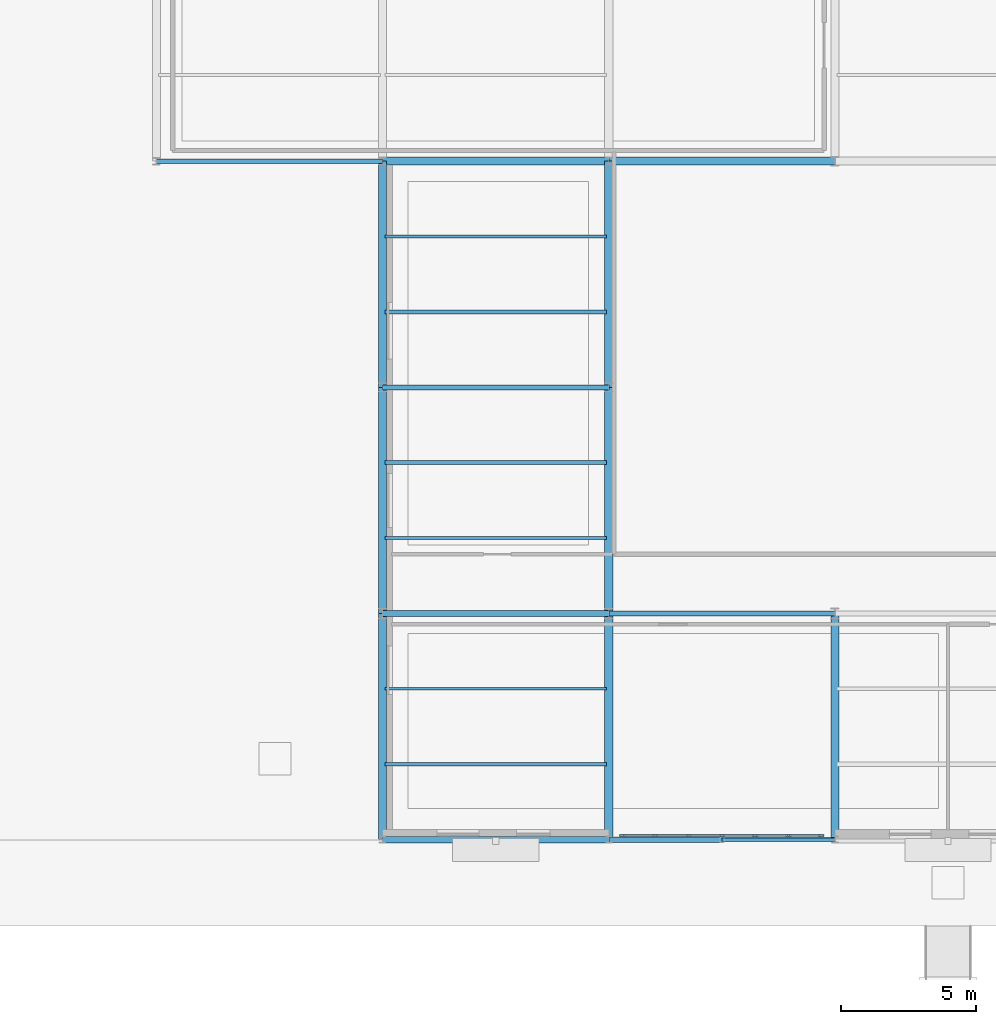
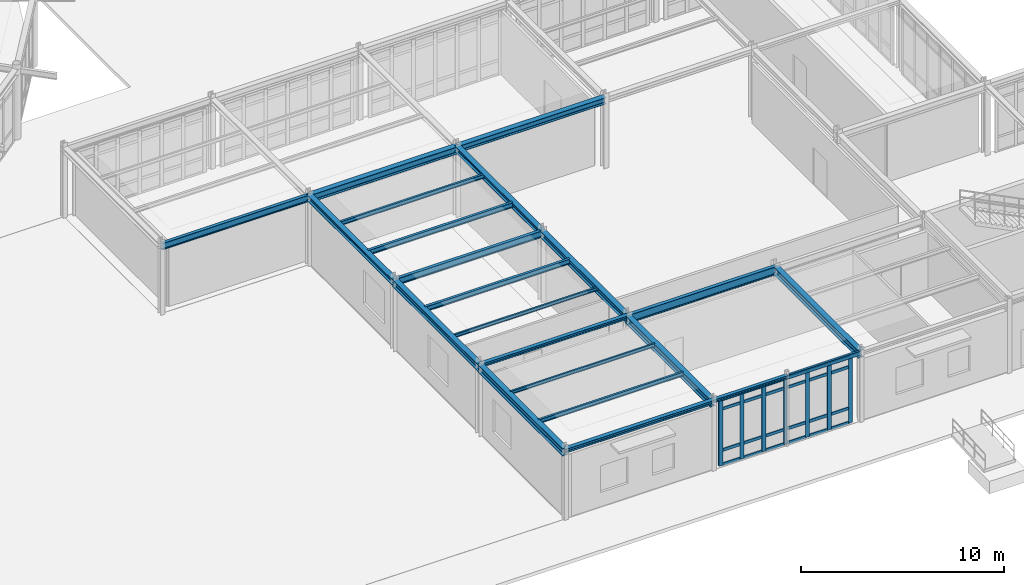
# One storey, part 30 of 101: 31 members, 22 beams, 1 element without a shape of its own.
"""IFC4 building model written with IfcOpenShell, lengths in metres."""

from ifc_helpers import new_model, si_unit, derived_unit, direction, frame, origin, origin_2d, place, context, subcontext, project, spatial, rectangle, hollow_rectangle, i_section, extrude, material, layer, layer_set, material_profile, profile_set, type_object, element, aggregate, save


model = new_model("IFC4")

# Units and contexts
model_context = context("Model", 3, precision=1e-05, world=origin(), true_north=direction((0.0, 1.0)))
body_context = subcontext(model_context, "Body", "Model", "MODEL_VIEW")
ifc_project = project(units=[si_unit("LENGTHUNIT", "METRE"), si_unit("AREAUNIT", "SQUARE_METRE"), si_unit("VOLUMEUNIT", "CUBIC_METRE"), si_unit("PLANEANGLEUNIT", "RADIAN"), si_unit("MASSUNIT", "GRAM", prefix="KILO"), derived_unit("THERMALTRANSMITTANCEUNIT", [(si_unit("POWERUNIT", "WATT"), 1), (si_unit("AREAUNIT", "SQUARE_METRE"), -1), (si_unit("THERMODYNAMICTEMPERATUREUNIT", "KELVIN"), -1)])], contexts=[model_context])

# Site, building, storey
site_placement = place(None, origin())
site = spatial("IfcSite", under=ifc_project, at=site_placement, CompositionType="ELEMENT")
building_placement = place(site_placement, origin())
building = spatial("IfcBuilding", under=site, at=building_placement, Name="Yasenodar Specialist Clinic", CompositionType="ELEMENT")
storey_placement = place(building_placement, origin())
storey = spatial("IfcBuildingStorey", under=building, at=storey_placement, Name="L00", CompositionType="ELEMENT", Elevation=0.0)

# Beams
ifc_material_1 = material(Name="Steel S355", Category="steel")
ifc_material_profile_1 = material_profile(ifc_material_1, i_section(OverallWidth=0.219970703125, OverallDepth=0.2099609375, WebThickness=0.007080078125, FlangeThickness=0.010986328125, FilletRadius=0.01806640625, at=origin_2d()), Name="HEA 220")
ifc_profile_set_1 = profile_set([ifc_material_profile_1], Name="Steel S355")
beam_type_1 = type_object("IfcBeamType", Name="BM-HEA220", PredefinedType="BEAM", material=ifc_profile_set_1)
beam_1_placement = place(storey_placement, frame((105.0, 8.39990234375, 4.14501953125), z_axis=(1.0, 0.0, 0.0), x_axis=(0.0, 1.0, 0.0)))
element("IfcBeam", 1, at=beam_1_placement, inside=storey, type_object=beam_type_1, Name="L00 Primary E-W Girder", PredefinedType="BEAM", context=body_context, shape_type="SweptSolid", body=[
    extrude(i_section(OverallWidth=0.219970703125, OverallDepth=0.2099609375, WebThickness=0.007080078125, FlangeThickness=0.010986328125, FilletRadius=0.01806640625, at=origin_2d()), origin(), (0.0, 0.0, 1.0), 8.39990234375),
])
ifc_material_profile_2 = material_profile(ifc_material_1, i_section(OverallWidth=0.300048828125, OverallDepth=0.389892578125, WebThickness=0.010986328125, FlangeThickness=0.01904296875, FilletRadius=0.027099609375, at=origin_2d()), Name="HEA 400")
ifc_profile_set_2 = profile_set([ifc_material_profile_2], Name="Steel S355")
beam_type_2 = type_object("IfcBeamType", Name="BM-HEA400", PredefinedType="BEAM", material=ifc_profile_set_2)
beam_2_placement = place(storey_placement, frame((113.39990234375, 25.199951171875, 4.054931640625), z_axis=(1.0, 0.0, 0.0), x_axis=(0.0, 1.0, 0.0)))
element("IfcBeam", 2, at=beam_2_placement, inside=storey, type_object=beam_type_2, Name="L00 Primary E-W Girder", PredefinedType="BEAM", context=body_context, shape_type="SweptSolid", body=[
    extrude(i_section(OverallWidth=0.300048828125, OverallDepth=0.389892578125, WebThickness=0.010986328125, FlangeThickness=0.01904296875, FilletRadius=0.027099609375, at=origin_2d()), origin(), (0.0, 0.0, 1.0), 8.400146484375),
])
ifc_material_profile_3 = material_profile(ifc_material_1, i_section(OverallWidth=0.300048828125, OverallDepth=0.43994140625, WebThickness=0.011474609375, FlangeThickness=0.02099609375, FilletRadius=0.027099609375, at=origin_2d()), Name="HEA 450")
ifc_profile_set_3 = profile_set([ifc_material_profile_3], Name="Steel S355")
beam_type_3 = type_object("IfcBeamType", Name="BM-HEA450", PredefinedType="BEAM", material=ifc_profile_set_3)
beam_3_placement = place(storey_placement, frame((105.0, 25.199951171875, 4.030029296875), z_axis=(1.0, 0.0, 0.0), x_axis=(0.0, 1.0, 0.0)))
element("IfcBeam", 3, at=beam_3_placement, inside=storey, type_object=beam_type_3, Name="L00 Primary E-W Girder", PredefinedType="BEAM", context=body_context, shape_type="SweptSolid", body=[
    extrude(i_section(OverallWidth=0.300048828125, OverallDepth=0.43994140625, WebThickness=0.011474609375, FlangeThickness=0.02099609375, FilletRadius=0.027099609375, at=origin_2d()), origin(), (0.0, 0.0, 1.0), 8.39990234375),
])
ifc_material_profile_4 = material_profile(ifc_material_1, i_section(OverallWidth=0.300048828125, OverallDepth=0.340087890625, WebThickness=0.011962890625, FlangeThickness=0.021484375, FilletRadius=0.027099609375, at=origin_2d()), Name="HEB 340")
ifc_profile_set_4 = profile_set([ifc_material_profile_4], Name="Steel S355")
beam_type_4 = type_object("IfcBeamType", Name="BM-HEB340", PredefinedType="BEAM", material=ifc_profile_set_4)
for number, where, z_axis, x_axis, name in (
    (4, (105.0, 16.800048828125, 4.080078125), (0.0, 1.0, 0.0), (-1.0, 0.0, 0.0), "L00 Primary N-S Girder"),
    (5, (113.39990234375, 16.800048828125, 4.080078125), (0.0, 1.0, 0.0), (-1.0, 0.0, 0.0), "L00 Primary N-S Girder"),
):
    element("IfcBeam", number, at=place(storey_placement, frame(where, z_axis=z_axis, x_axis=x_axis)), inside=storey, type_object=beam_type_4, Name=name, PredefinedType="BEAM", context=body_context, shape_type="SweptSolid", body=[
        extrude(i_section(OverallWidth=0.300048828125, OverallDepth=0.340087890625, WebThickness=0.011962890625, FlangeThickness=0.021484375, FilletRadius=0.027099609375, at=origin_2d()), origin(), (0.0, 0.0, 1.0), 8.39990234375),
    ])
ifc_material_profile_5 = material_profile(ifc_material_1, i_section(OverallWidth=0.300048828125, OverallDepth=0.39990234375, WebThickness=0.013427734375, FlangeThickness=0.02392578125, FilletRadius=0.027099609375, at=origin_2d()), Name="HEB 400")
ifc_profile_set_5 = profile_set([ifc_material_profile_5], Name="Steel S355")
beam_type_5 = type_object("IfcBeamType", Name="BM-HEB400", PredefinedType="BEAM", material=ifc_profile_set_5)
for number, where, z_axis, x_axis, name in (
    (6, (105.0, 8.39990234375, 4.050048828125), (0.0, 1.0, 0.0), (-1.0, 0.0, 0.0), "L00 Primary N-S Girder"),
    (7, (113.39990234375, 8.39990234375, 4.050048828125), (0.0, 1.0, 0.0), (-1.0, 0.0, 0.0), "L00 Primary N-S Girder"),
):
    element("IfcBeam", number, at=place(storey_placement, frame(where, z_axis=z_axis, x_axis=x_axis)), inside=storey, type_object=beam_type_5, Name=name, PredefinedType="BEAM", context=body_context, shape_type="SweptSolid", body=[
        extrude(i_section(OverallWidth=0.300048828125, OverallDepth=0.39990234375, WebThickness=0.013427734375, FlangeThickness=0.02392578125, FilletRadius=0.027099609375, at=origin_2d()), origin(), (0.0, 0.0, 1.0), 8.400146484375),
    ])
ifc_material_profile_6 = material_profile(ifc_material_1, i_section(OverallWidth=0.300048828125, OverallDepth=0.449951171875, WebThickness=0.013916015625, FlangeThickness=0.02587890625, FilletRadius=0.027099609375, at=origin_2d()), Name="HEB 450")
ifc_profile_set_6 = profile_set([ifc_material_profile_6], Name="Steel S355")
beam_type_6 = type_object("IfcBeamType", Name="BM-HEB450", PredefinedType="BEAM", material=ifc_profile_set_6)
for number, where, z_axis, x_axis, name in (
    (8, (105.0, 0.0, 4.02490234375), (0.0, 1.0, 0.0), (-1.0, 0.0, 0.0), "L00 Primary N-S Girder"),
    (9, (113.39990234375, 0.0, 4.02490234375), (0.0, 1.0, 0.0), (-1.0, 0.0, 0.0), "L00 Primary N-S Girder"),
    (10, (121.800048828125, 0.0, 4.02490234375), (0.0, 1.0, 0.0), (-1.0, 0.0, 0.0), "L00 Primary N-S Girder"),
):
    element("IfcBeam", number, at=place(storey_placement, frame(where, z_axis=z_axis, x_axis=x_axis)), inside=storey, type_object=beam_type_6, Name=name, PredefinedType="BEAM", context=body_context, shape_type="SweptSolid", body=[
        extrude(i_section(OverallWidth=0.300048828125, OverallDepth=0.449951171875, WebThickness=0.013916015625, FlangeThickness=0.02587890625, FilletRadius=0.027099609375, at=origin_2d()), origin(), (0.0, 0.0, 1.0), 8.39990234375),
    ])
ifc_material_profile_7 = material_profile(ifc_material_1, i_section(OverallWidth=0.179931640625, OverallDepth=0.39990234375, WebThickness=0.008544921875, FlangeThickness=0.013427734375, FilletRadius=0.02099609375, at=origin_2d()), Name="IPE 400")
ifc_profile_set_7 = profile_set([ifc_material_profile_7], Name="Steel S355")
beam_type_7 = type_object("IfcBeamType", Name="BM-IPE400", PredefinedType="BEAM", material=ifc_profile_set_7)
for number, where, z_axis, x_axis, name in (
    (11, (105.0, 16.800048828125, 4.050048828125), (1.0, 0.0, 0.0), (0.0, 1.0, 0.0), "L00 Primary E-W Girder"),
    (12, (96.60009765625, 25.199951171875, 4.050048828125), (1.0, 0.0, 0.0), (0.0, 1.0, 0.0), "L00 Primary E-W Girder"),
):
    element("IfcBeam", number, at=place(storey_placement, frame(where, z_axis=z_axis, x_axis=x_axis)), inside=storey, type_object=beam_type_7, Name=name, PredefinedType="BEAM", context=body_context, shape_type="SweptSolid", body=[
        extrude(i_section(OverallWidth=0.179931640625, OverallDepth=0.39990234375, WebThickness=0.008544921875, FlangeThickness=0.013427734375, FilletRadius=0.02099609375, at=origin_2d()), origin(), (0.0, 0.0, 1.0), 8.39990234375),
    ])
ifc_material_profile_8 = material_profile(ifc_material_1, i_section(OverallWidth=0.199951171875, OverallDepth=0.5, WebThickness=0.01025390625, FlangeThickness=0.01611328125, FilletRadius=0.02099609375, at=origin_2d()), Name="IPE 500")
ifc_profile_set_8 = profile_set([ifc_material_profile_8], Name="Steel S355")
beam_type_8 = type_object("IfcBeamType", Name="BM-IPE500", PredefinedType="BEAM", material=ifc_profile_set_8)
beam_4_placement = place(storey_placement, frame((113.39990234375, 8.39990234375, 4.0), z_axis=(1.0, 0.0, 0.0), x_axis=(0.0, 1.0, 0.0)))
element("IfcBeam", 13, at=beam_4_placement, inside=storey, type_object=beam_type_8, Name="L00 Primary E-W Girder", PredefinedType="BEAM", context=body_context, shape_type="SweptSolid", body=[
    extrude(i_section(OverallWidth=0.199951171875, OverallDepth=0.5, WebThickness=0.01025390625, FlangeThickness=0.01611328125, FilletRadius=0.02099609375, at=origin_2d()), origin(), (0.0, 0.0, 1.0), 8.400146484375),
])

# Curtain wall, members
ifc_material_2 = material(Name="Bronze Anodized Aluminium and Triple Low-E Glass", Category="aluminium")
ifc_layer = layer(ifc_material_2, 0.178955078125)
ifc_layer_set = layer_set([ifc_layer], Name="Bronze Anodized Aluminium and Triple Low-E Glass")
curtain_wall_type = type_object("IfcCurtainWallType", Name="CW-SYS-02", PredefinedType="USERDEFINED", material=ifc_layer_set)
curtain_wall_placement = place(storey_placement, origin())
curtain_wall = element("IfcCurtainWall", 14, at=curtain_wall_placement, inside=storey, type_object=curtain_wall_type, Name="L00 Unitised Curtain Wall 080", ObjectType="UNITISED CURTAIN WALL", PredefinedType="USERDEFINED")
ifc_material_3 = material(Name="Bronze Anodized Aluminium", Category="aluminium")
ifc_material_profile_9 = material_profile(ifc_material_3, rectangle(XDim=0.074951171875, YDim=0.22509765625, at=origin_2d()), Name="CW-MULL 75x225")
ifc_profile_set_9 = profile_set([ifc_material_profile_9], Name="Bronze Anodized Aluminium")
member_type_1 = type_object("IfcMemberType", Name="CW-MULL-225", PredefinedType="MULLION", material=ifc_profile_set_9)
member_1_placement = place(storey_placement, frame((121.282470703125, 0.14990234375, 0.0), z_axis=(0.0, 0.0, 1.0), x_axis=(0.0, -1.0, 0.0)))
member_1 = element("IfcMember", 15, at=member_1_placement, type_object=member_type_1, Name="CW-02 mullion 1", PredefinedType="MULLION", context=body_context, shape_type="SweptSolid", body=[
    extrude(rectangle(XDim=0.074951171875, YDim=0.22509765625, at=origin_2d()), origin(), (0.0, 0.0, 1.0), 3.97802734375),
])
member_2_placement = place(storey_placement, frame((120.080078125, 0.14990234375, 0.0), z_axis=(0.0, 0.0, 1.0), x_axis=(0.0, -1.0, 0.0)))
member_2 = element("IfcMember", 16, at=member_2_placement, type_object=member_type_1, Name="CW-02 mullion 2", PredefinedType="MULLION", context=body_context, shape_type="SweptSolid", body=[
    extrude(rectangle(XDim=0.074951171875, YDim=0.22509765625, at=origin_2d()), origin(), (0.0, 0.0, 1.0), 3.97802734375),
])
member_3_placement = place(storey_placement, frame((118.840087890625, 0.14990234375, 0.0), z_axis=(0.0, 0.0, 1.0), x_axis=(0.0, -1.0, 0.0)))
member_3 = element("IfcMember", 17, at=member_3_placement, type_object=member_type_1, Name="CW-02 mullion 3", PredefinedType="MULLION", context=body_context, shape_type="SweptSolid", body=[
    extrude(rectangle(XDim=0.074951171875, YDim=0.22509765625, at=origin_2d()), origin(), (0.0, 0.0, 1.0), 3.97802734375),
])
member_4_placement = place(storey_placement, frame((117.60009765625, 0.14990234375, 0.0), z_axis=(0.0, 0.0, 1.0), x_axis=(0.0, -1.0, 0.0)))
member_4 = element("IfcMember", 18, at=member_4_placement, type_object=member_type_1, Name="CW-02 mullion 4", PredefinedType="MULLION", context=body_context, shape_type="SweptSolid", body=[
    extrude(rectangle(XDim=0.074951171875, YDim=0.22509765625, at=origin_2d()), origin(), (0.0, 0.0, 1.0), 3.97802734375),
])
member_5_placement = place(storey_placement, frame((116.360107421875, 0.14990234375, 0.0), z_axis=(0.0, 0.0, 1.0), x_axis=(0.0, -1.0, 0.0)))
member_5 = element("IfcMember", 19, at=member_5_placement, type_object=member_type_1, Name="CW-02 mullion 5", PredefinedType="MULLION", context=body_context, shape_type="SweptSolid", body=[
    extrude(rectangle(XDim=0.074951171875, YDim=0.22509765625, at=origin_2d()), origin(), (0.0, 0.0, 1.0), 3.97802734375),
])
member_6_placement = place(storey_placement, frame((115.1201171875, 0.14990234375, 0.0), z_axis=(0.0, 0.0, 1.0), x_axis=(0.0, -1.0, 0.0)))
member_6 = element("IfcMember", 20, at=member_6_placement, type_object=member_type_1, Name="CW-02 mullion 6", PredefinedType="MULLION", context=body_context, shape_type="SweptSolid", body=[
    extrude(rectangle(XDim=0.074951171875, YDim=0.22509765625, at=origin_2d()), origin(), (0.0, 0.0, 1.0), 3.97802734375),
])
member_7_placement = place(storey_placement, frame((113.91748046875, 0.14990234375, 0.0), z_axis=(0.0, 0.0, 1.0), x_axis=(0.0, -1.0, 0.0)))
member_7 = element("IfcMember", 21, at=member_7_placement, type_object=member_type_1, Name="CW-02 mullion 7", PredefinedType="MULLION", context=body_context, shape_type="SweptSolid", body=[
    extrude(rectangle(XDim=0.074951171875, YDim=0.22509765625, at=origin_2d()), origin(), (0.0, 0.0, 1.0), 3.97802734375),
])
ifc_material_profile_10 = material_profile(ifc_material_3, rectangle(XDim=0.074951171875, YDim=0.175048828125, at=origin_2d()), Name="CW-TRAN 75x175")
ifc_profile_set_10 = profile_set([ifc_material_profile_10], Name="Bronze Anodized Aluminium")
member_type_2 = type_object("IfcMemberType", Name="CW-TRAN-175", PredefinedType="USERDEFINED", material=ifc_profile_set_10)
member_8_placement = place(storey_placement, frame((121.2451171875, 0.14990234375, 0.03759765625), z_axis=(-1.0, 0.0, 0.0), x_axis=(0.0, -1.0, 0.0)))
member_8 = element("IfcMember", 22, at=member_8_placement, type_object=member_type_2, Name="CW-02 transom 1.1", ObjectType="TRANSOM", PredefinedType="USERDEFINED", context=body_context, shape_type="SweptSolid", body=[
    extrude(rectangle(XDim=0.074951171875, YDim=0.175048828125, at=origin_2d()), origin(), (0.0, 0.0, 1.0), 1.127685546875),
])
member_9_placement = place(storey_placement, frame((121.2451171875, 0.14990234375, 0.89990234375), z_axis=(-1.0, 0.0, 0.0), x_axis=(0.0, -1.0, 0.0)))
member_9 = element("IfcMember", 23, at=member_9_placement, type_object=member_type_2, Name="CW-02 transom 1.2", ObjectType="TRANSOM", PredefinedType="USERDEFINED", context=body_context, shape_type="SweptSolid", body=[
    extrude(rectangle(XDim=0.074951171875, YDim=0.175048828125, at=origin_2d()), origin(), (0.0, 0.0, 1.0), 1.127685546875),
])
member_10_placement = place(storey_placement, frame((121.2451171875, 0.14990234375, 3.3779296875), z_axis=(-1.0, 0.0, 0.0), x_axis=(0.0, -1.0, 0.0)))
member_10 = element("IfcMember", 24, at=member_10_placement, type_object=member_type_2, Name="CW-02 transom 1.3", ObjectType="TRANSOM", PredefinedType="USERDEFINED", context=body_context, shape_type="SweptSolid", body=[
    extrude(rectangle(XDim=0.074951171875, YDim=0.175048828125, at=origin_2d()), origin(), (0.0, 0.0, 1.0), 1.127685546875),
])
member_11_placement = place(storey_placement, frame((121.2451171875, 0.14990234375, 3.9404296875), z_axis=(-1.0, 0.0, 0.0), x_axis=(0.0, -1.0, 0.0)))
member_11 = element("IfcMember", 25, at=member_11_placement, type_object=member_type_2, Name="CW-02 transom 1.4", ObjectType="TRANSOM", PredefinedType="USERDEFINED", context=body_context, shape_type="SweptSolid", body=[
    extrude(rectangle(XDim=0.074951171875, YDim=0.175048828125, at=origin_2d()), origin(), (0.0, 0.0, 1.0), 1.127685546875),
])
member_12_placement = place(storey_placement, frame((120.04248046875, 0.14990234375, 0.03759765625), z_axis=(-1.0, 0.0, 0.0), x_axis=(0.0, -1.0, 0.0)))
member_12 = element("IfcMember", 26, at=member_12_placement, type_object=member_type_2, Name="CW-02 transom 2.1", ObjectType="TRANSOM", PredefinedType="USERDEFINED", context=body_context, shape_type="SweptSolid", body=[
    extrude(rectangle(XDim=0.074951171875, YDim=0.175048828125, at=origin_2d()), origin(), (0.0, 0.0, 1.0), 1.1650390625),
])
member_13_placement = place(storey_placement, frame((120.04248046875, 0.14990234375, 0.89990234375), z_axis=(-1.0, 0.0, 0.0), x_axis=(0.0, -1.0, 0.0)))
member_13 = element("IfcMember", 27, at=member_13_placement, type_object=member_type_2, Name="CW-02 transom 2.2", ObjectType="TRANSOM", PredefinedType="USERDEFINED", context=body_context, shape_type="SweptSolid", body=[
    extrude(rectangle(XDim=0.074951171875, YDim=0.175048828125, at=origin_2d()), origin(), (0.0, 0.0, 1.0), 1.1650390625),
])
member_14_placement = place(storey_placement, frame((120.04248046875, 0.14990234375, 3.3779296875), z_axis=(-1.0, 0.0, 0.0), x_axis=(0.0, -1.0, 0.0)))
member_14 = element("IfcMember", 28, at=member_14_placement, type_object=member_type_2, Name="CW-02 transom 2.3", ObjectType="TRANSOM", PredefinedType="USERDEFINED", context=body_context, shape_type="SweptSolid", body=[
    extrude(rectangle(XDim=0.074951171875, YDim=0.175048828125, at=origin_2d()), origin(), (0.0, 0.0, 1.0), 1.1650390625),
])
member_15_placement = place(storey_placement, frame((120.04248046875, 0.14990234375, 3.9404296875), z_axis=(-1.0, 0.0, 0.0), x_axis=(0.0, -1.0, 0.0)))
member_15 = element("IfcMember", 29, at=member_15_placement, type_object=member_type_2, Name="CW-02 transom 2.4", ObjectType="TRANSOM", PredefinedType="USERDEFINED", context=body_context, shape_type="SweptSolid", body=[
    extrude(rectangle(XDim=0.074951171875, YDim=0.175048828125, at=origin_2d()), origin(), (0.0, 0.0, 1.0), 1.1650390625),
])
member_16_placement = place(storey_placement, frame((118.802490234375, 0.14990234375, 0.03759765625), z_axis=(-1.0, 0.0, 0.0), x_axis=(0.0, -1.0, 0.0)))
member_16 = element("IfcMember", 30, at=member_16_placement, type_object=member_type_2, Name="CW-02 transom 3.1", ObjectType="TRANSOM", PredefinedType="USERDEFINED", context=body_context, shape_type="SweptSolid", body=[
    extrude(rectangle(XDim=0.074951171875, YDim=0.175048828125, at=origin_2d()), origin(), (0.0, 0.0, 1.0), 1.1650390625),
])
member_17_placement = place(storey_placement, frame((118.802490234375, 0.14990234375, 0.89990234375), z_axis=(-1.0, 0.0, 0.0), x_axis=(0.0, -1.0, 0.0)))
member_17 = element("IfcMember", 31, at=member_17_placement, type_object=member_type_2, Name="CW-02 transom 3.2", ObjectType="TRANSOM", PredefinedType="USERDEFINED", context=body_context, shape_type="SweptSolid", body=[
    extrude(rectangle(XDim=0.074951171875, YDim=0.175048828125, at=origin_2d()), origin(), (0.0, 0.0, 1.0), 1.1650390625),
])
member_18_placement = place(storey_placement, frame((118.802490234375, 0.14990234375, 3.3779296875), z_axis=(-1.0, 0.0, 0.0), x_axis=(0.0, -1.0, 0.0)))
member_18 = element("IfcMember", 32, at=member_18_placement, type_object=member_type_2, Name="CW-02 transom 3.3", ObjectType="TRANSOM", PredefinedType="USERDEFINED", context=body_context, shape_type="SweptSolid", body=[
    extrude(rectangle(XDim=0.074951171875, YDim=0.175048828125, at=origin_2d()), origin(), (0.0, 0.0, 1.0), 1.1650390625),
])
member_19_placement = place(storey_placement, frame((118.802490234375, 0.14990234375, 3.9404296875), z_axis=(-1.0, 0.0, 0.0), x_axis=(0.0, -1.0, 0.0)))
member_19 = element("IfcMember", 33, at=member_19_placement, type_object=member_type_2, Name="CW-02 transom 3.4", ObjectType="TRANSOM", PredefinedType="USERDEFINED", context=body_context, shape_type="SweptSolid", body=[
    extrude(rectangle(XDim=0.074951171875, YDim=0.175048828125, at=origin_2d()), origin(), (0.0, 0.0, 1.0), 1.1650390625),
])
member_20_placement = place(storey_placement, frame((117.5625, 0.14990234375, 0.03759765625), z_axis=(-1.0, 0.0, 0.0), x_axis=(0.0, -1.0, 0.0)))
member_20 = element("IfcMember", 34, at=member_20_placement, type_object=member_type_2, Name="CW-02 transom 4.1", ObjectType="TRANSOM", PredefinedType="USERDEFINED", context=body_context, shape_type="SweptSolid", body=[
    extrude(rectangle(XDim=0.074951171875, YDim=0.175048828125, at=origin_2d()), origin(), (0.0, 0.0, 1.0), 1.1650390625),
])
member_21_placement = place(storey_placement, frame((117.5625, 0.14990234375, 0.89990234375), z_axis=(-1.0, 0.0, 0.0), x_axis=(0.0, -1.0, 0.0)))
member_21 = element("IfcMember", 35, at=member_21_placement, type_object=member_type_2, Name="CW-02 transom 4.2", ObjectType="TRANSOM", PredefinedType="USERDEFINED", context=body_context, shape_type="SweptSolid", body=[
    extrude(rectangle(XDim=0.074951171875, YDim=0.175048828125, at=origin_2d()), origin(), (0.0, 0.0, 1.0), 1.1650390625),
])
member_22_placement = place(storey_placement, frame((117.5625, 0.14990234375, 3.3779296875), z_axis=(-1.0, 0.0, 0.0), x_axis=(0.0, -1.0, 0.0)))
member_22 = element("IfcMember", 36, at=member_22_placement, type_object=member_type_2, Name="CW-02 transom 4.3", ObjectType="TRANSOM", PredefinedType="USERDEFINED", context=body_context, shape_type="SweptSolid", body=[
    extrude(rectangle(XDim=0.074951171875, YDim=0.175048828125, at=origin_2d()), origin(), (0.0, 0.0, 1.0), 1.1650390625),
])
member_23_placement = place(storey_placement, frame((117.5625, 0.14990234375, 3.9404296875), z_axis=(-1.0, 0.0, 0.0), x_axis=(0.0, -1.0, 0.0)))
member_23 = element("IfcMember", 37, at=member_23_placement, type_object=member_type_2, Name="CW-02 transom 4.4", ObjectType="TRANSOM", PredefinedType="USERDEFINED", context=body_context, shape_type="SweptSolid", body=[
    extrude(rectangle(XDim=0.074951171875, YDim=0.175048828125, at=origin_2d()), origin(), (0.0, 0.0, 1.0), 1.1650390625),
])
member_24_placement = place(storey_placement, frame((116.322509765625, 0.14990234375, 0.03759765625), z_axis=(-1.0, 0.0, 0.0), x_axis=(0.0, -1.0, 0.0)))
member_24 = element("IfcMember", 38, at=member_24_placement, type_object=member_type_2, Name="CW-02 transom 5.1", ObjectType="TRANSOM", PredefinedType="USERDEFINED", context=body_context, shape_type="SweptSolid", body=[
    extrude(rectangle(XDim=0.074951171875, YDim=0.175048828125, at=origin_2d()), origin(), (0.0, 0.0, 1.0), 1.1650390625),
])
member_25_placement = place(storey_placement, frame((116.322509765625, 0.14990234375, 0.89990234375), z_axis=(-1.0, 0.0, 0.0), x_axis=(0.0, -1.0, 0.0)))
member_25 = element("IfcMember", 39, at=member_25_placement, type_object=member_type_2, Name="CW-02 transom 5.2", ObjectType="TRANSOM", PredefinedType="USERDEFINED", context=body_context, shape_type="SweptSolid", body=[
    extrude(rectangle(XDim=0.074951171875, YDim=0.175048828125, at=origin_2d()), origin(), (0.0, 0.0, 1.0), 1.1650390625),
])
member_26_placement = place(storey_placement, frame((116.322509765625, 0.14990234375, 3.3779296875), z_axis=(-1.0, 0.0, 0.0), x_axis=(0.0, -1.0, 0.0)))
member_26 = element("IfcMember", 40, at=member_26_placement, type_object=member_type_2, Name="CW-02 transom 5.3", ObjectType="TRANSOM", PredefinedType="USERDEFINED", context=body_context, shape_type="SweptSolid", body=[
    extrude(rectangle(XDim=0.074951171875, YDim=0.175048828125, at=origin_2d()), origin(), (0.0, 0.0, 1.0), 1.1650390625),
])
member_27_placement = place(storey_placement, frame((116.322509765625, 0.14990234375, 3.9404296875), z_axis=(-1.0, 0.0, 0.0), x_axis=(0.0, -1.0, 0.0)))
member_27 = element("IfcMember", 41, at=member_27_placement, type_object=member_type_2, Name="CW-02 transom 5.4", ObjectType="TRANSOM", PredefinedType="USERDEFINED", context=body_context, shape_type="SweptSolid", body=[
    extrude(rectangle(XDim=0.074951171875, YDim=0.175048828125, at=origin_2d()), origin(), (0.0, 0.0, 1.0), 1.1650390625),
])
member_28_placement = place(storey_placement, frame((115.08251953125, 0.14990234375, 0.03759765625), z_axis=(-1.0, 0.0, 0.0), x_axis=(0.0, -1.0, 0.0)))
member_28 = element("IfcMember", 42, at=member_28_placement, type_object=member_type_2, Name="CW-02 transom 6.1", ObjectType="TRANSOM", PredefinedType="USERDEFINED", context=body_context, shape_type="SweptSolid", body=[
    extrude(rectangle(XDim=0.074951171875, YDim=0.175048828125, at=origin_2d()), origin(), (0.0, 0.0, 1.0), 1.12744140625),
])
member_29_placement = place(storey_placement, frame((115.08251953125, 0.14990234375, 0.89990234375), z_axis=(-1.0, 0.0, 0.0), x_axis=(0.0, -1.0, 0.0)))
member_29 = element("IfcMember", 43, at=member_29_placement, type_object=member_type_2, Name="CW-02 transom 6.2", ObjectType="TRANSOM", PredefinedType="USERDEFINED", context=body_context, shape_type="SweptSolid", body=[
    extrude(rectangle(XDim=0.074951171875, YDim=0.175048828125, at=origin_2d()), origin(), (0.0, 0.0, 1.0), 1.12744140625),
])
member_30_placement = place(storey_placement, frame((115.08251953125, 0.14990234375, 3.3779296875), z_axis=(-1.0, 0.0, 0.0), x_axis=(0.0, -1.0, 0.0)))
member_30 = element("IfcMember", 44, at=member_30_placement, type_object=member_type_2, Name="CW-02 transom 6.3", ObjectType="TRANSOM", PredefinedType="USERDEFINED", context=body_context, shape_type="SweptSolid", body=[
    extrude(rectangle(XDim=0.074951171875, YDim=0.175048828125, at=origin_2d()), origin(), (0.0, 0.0, 1.0), 1.12744140625),
])
member_31_placement = place(storey_placement, frame((115.08251953125, 0.14990234375, 3.9404296875), z_axis=(-1.0, 0.0, 0.0), x_axis=(0.0, -1.0, 0.0)))
member_31 = element("IfcMember", 45, at=member_31_placement, type_object=member_type_2, Name="CW-02 transom 6.4", ObjectType="TRANSOM", PredefinedType="USERDEFINED", context=body_context, shape_type="SweptSolid", body=[
    extrude(rectangle(XDim=0.074951171875, YDim=0.175048828125, at=origin_2d()), origin(), (0.0, 0.0, 1.0), 1.12744140625),
])
aggregate(curtain_wall, [member_1, member_2, member_3, member_4, member_5, member_6, member_7, member_8, member_9, member_10, member_11, member_12, member_13, member_14, member_15, member_16, member_17, member_18, member_19, member_20, member_21, member_22, member_23, member_24, member_25, member_26, member_27, member_28, member_29, member_30, member_31])

# Beams
ifc_material_profile_11 = material_profile(ifc_material_1, i_section(OverallWidth=0.10009765625, OverallDepth=0.199951171875, WebThickness=0.005615234375, FlangeThickness=0.008544921875, FilletRadius=0.011962890625, at=origin_2d()), Name="IPE 200")
ifc_profile_set_11 = profile_set([ifc_material_profile_11], Name="Steel S355")
beam_type_9 = type_object("IfcBeamType", Name="JS-IPE200", PredefinedType="JOIST", material=ifc_profile_set_11)
for number, where, z_axis, x_axis, name in (
    (46, (105.080078125, 5.60009765625, 4.14990234375), (1.0, 0.0, 0.0), (0.0, 1.0, 0.0), "L00 Composite Floor Joist"),
    (47, (105.080078125, 11.199951171875, 4.14990234375), (1.0, 0.0, 0.0), (0.0, 1.0, 0.0), "L00 Composite Floor Joist"),
):
    element("IfcBeam", number, at=place(storey_placement, frame(where, z_axis=z_axis, x_axis=x_axis)), inside=storey, type_object=beam_type_9, Name=name, PredefinedType="JOIST", context=body_context, shape_type="SweptSolid", body=[
        extrude(i_section(OverallWidth=0.10009765625, OverallDepth=0.199951171875, WebThickness=0.005615234375, FlangeThickness=0.008544921875, FilletRadius=0.011962890625, at=origin_2d()), origin(), (0.0, 0.0, 1.0), 8.239990234375),
    ])
ifc_material_profile_12 = material_profile(ifc_material_1, i_section(OverallWidth=0.1201171875, OverallDepth=0.239990234375, WebThickness=0.006103515625, FlangeThickness=0.009765625, FilletRadius=0.014892578125, at=origin_2d()), Name="IPE 240")
ifc_profile_set_12 = profile_set([ifc_material_profile_12], Name="Steel S355")
beam_type_10 = type_object("IfcBeamType", Name="JS-IPE240", PredefinedType="JOIST", material=ifc_profile_set_12)
for number, where, z_axis, x_axis, name in (
    (48, (105.080078125, 2.800048828125, 4.1298828125), (1.0, 0.0, 0.0), (0.0, 1.0, 0.0), "L00 Composite Floor Joist"),
    (49, (105.080078125, 22.39990234375, 4.1298828125), (1.0, 0.0, 0.0), (0.0, 1.0, 0.0), "L00 Composite Floor Joist"),
):
    element("IfcBeam", number, at=place(storey_placement, frame(where, z_axis=z_axis, x_axis=x_axis)), inside=storey, type_object=beam_type_10, Name=name, PredefinedType="JOIST", context=body_context, shape_type="SweptSolid", body=[
        extrude(i_section(OverallWidth=0.1201171875, OverallDepth=0.239990234375, WebThickness=0.006103515625, FlangeThickness=0.009765625, FilletRadius=0.014892578125, at=origin_2d()), origin(), (0.0, 0.0, 1.0), 8.239990234375),
    ])
ifc_material_profile_13 = material_profile(ifc_material_1, i_section(OverallWidth=0.14990234375, OverallDepth=0.300048828125, WebThickness=0.007080078125, FlangeThickness=0.0107421875, FilletRadius=0.014892578125, at=origin_2d()), Name="IPE 300")
ifc_profile_set_13 = profile_set([ifc_material_profile_13], Name="Steel S355")
beam_type_11 = type_object("IfcBeamType", Name="JS-IPE300", PredefinedType="JOIST", material=ifc_profile_set_13)
for number, where, z_axis, x_axis, name in (
    (50, (105.080078125, 14.0, 4.10009765625), (1.0, 0.0, 0.0), (0.0, 1.0, 0.0), "L00 Composite Floor Joist"),
    (51, (105.080078125, 19.60009765625, 4.10009765625), (1.0, 0.0, 0.0), (0.0, 1.0, 0.0), "L00 Composite Floor Joist"),
):
    element("IfcBeam", number, at=place(storey_placement, frame(where, z_axis=z_axis, x_axis=x_axis)), inside=storey, type_object=beam_type_11, Name=name, PredefinedType="JOIST", context=body_context, shape_type="SweptSolid", body=[
        extrude(i_section(OverallWidth=0.14990234375, OverallDepth=0.300048828125, WebThickness=0.007080078125, FlangeThickness=0.0107421875, FilletRadius=0.014892578125, at=origin_2d()), origin(), (0.0, 0.0, 1.0), 8.239990234375),
    ])
ifc_material_profile_14 = material_profile(ifc_material_1, i_section(OverallWidth=0.199951171875, OverallDepth=0.18994140625, WebThickness=0.006591796875, FlangeThickness=0.010009765625, FilletRadius=0.01806640625, at=origin_2d()), Name="HEA 200")
ifc_profile_set_14 = profile_set([ifc_material_profile_14], Name="Steel S355")
beam_type_12 = type_object("IfcBeamType", Name="SP-HEA200", PredefinedType="SPANDREL", material=ifc_profile_set_14)
beam_5_placement = place(storey_placement, frame((113.39990234375, 0.0, 4.155029296875), z_axis=(1.0, 0.0, 0.0), x_axis=(0.0, 1.0, 0.0)))
element("IfcBeam", 52, at=beam_5_placement, inside=storey, type_object=beam_type_12, Name="L00 Perimeter Spandrel Beam", PredefinedType="SPANDREL", context=body_context, shape_type="SweptSolid", body=[
    extrude(i_section(OverallWidth=0.199951171875, OverallDepth=0.18994140625, WebThickness=0.006591796875, FlangeThickness=0.010009765625, FilletRadius=0.01806640625, at=origin_2d()), origin(), (0.0, 0.0, 1.0), 4.2001953125),
])
ifc_material_profile_15 = material_profile(ifc_material_1, i_section(OverallWidth=0.239990234375, OverallDepth=0.22998046875, WebThickness=0.007568359375, FlangeThickness=0.011962890625, FilletRadius=0.02099609375, at=origin_2d()), Name="HEA 240")
ifc_profile_set_15 = profile_set([ifc_material_profile_15], Name="Steel S355")
beam_type_13 = type_object("IfcBeamType", Name="SP-HEA240", PredefinedType="SPANDREL", material=ifc_profile_set_15)
beam_6_placement = place(storey_placement, frame((105.0, 0.0, 4.135009765625), z_axis=(1.0, 0.0, 0.0), x_axis=(0.0, 1.0, 0.0)))
element("IfcBeam", 53, at=beam_6_placement, inside=storey, type_object=beam_type_13, Name="L00 Perimeter Spandrel Beam", PredefinedType="SPANDREL", context=body_context, shape_type="SweptSolid", body=[
    extrude(i_section(OverallWidth=0.239990234375, OverallDepth=0.22998046875, WebThickness=0.007568359375, FlangeThickness=0.011962890625, FilletRadius=0.02099609375, at=origin_2d()), origin(), (0.0, 0.0, 1.0), 8.39990234375),
])
ifc_material_profile_16 = material_profile(ifc_material_1, hollow_rectangle(XDim=0.14990234375, YDim=0.25, WallThickness=0.010009765625, InnerFilletRadius=0.014892578125, OuterFilletRadius=0.02490234375, at=origin_2d()), Name="RHS 250x150x10")
ifc_profile_set_16 = profile_set([ifc_material_profile_16], Name="Steel S355")
beam_type_14 = type_object("IfcBeamType", Name="SP-RHS250", PredefinedType="SPANDREL", material=ifc_profile_set_16)
beam_7_placement = place(storey_placement, frame((117.60009765625, 0.0, 4.125), z_axis=(1.0, 0.0, 0.0), x_axis=(0.0, 1.0, 0.0)))
element("IfcBeam", 54, at=beam_7_placement, inside=storey, type_object=beam_type_14, Name="L00 Perimeter Spandrel Beam", PredefinedType="SPANDREL", context=body_context, shape_type="SweptSolid", body=[
    extrude(hollow_rectangle(XDim=0.14990234375, YDim=0.25, WallThickness=0.010009765625, InnerFilletRadius=0.014892578125, OuterFilletRadius=0.02490234375, at=origin_2d()), origin(), (0.0, 0.0, 1.0), 4.199951171875),
])

save(model, "model.ifc")
